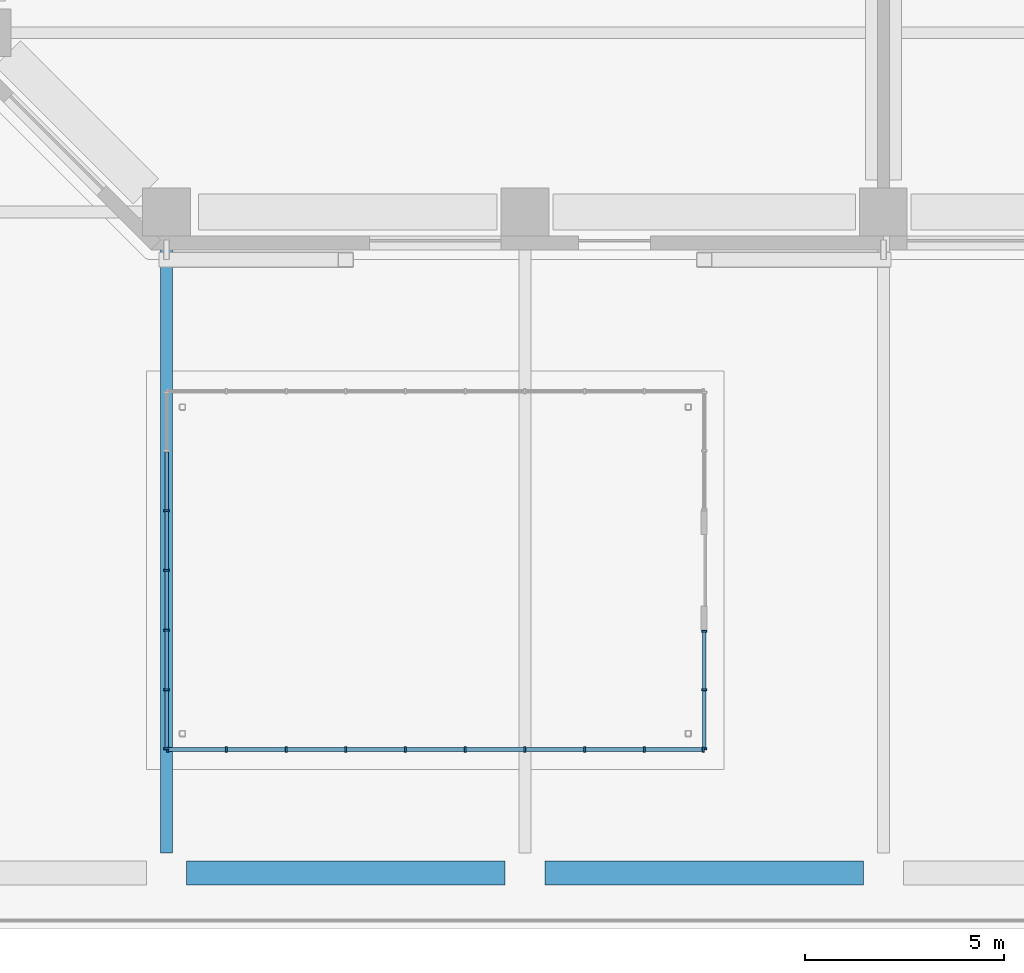
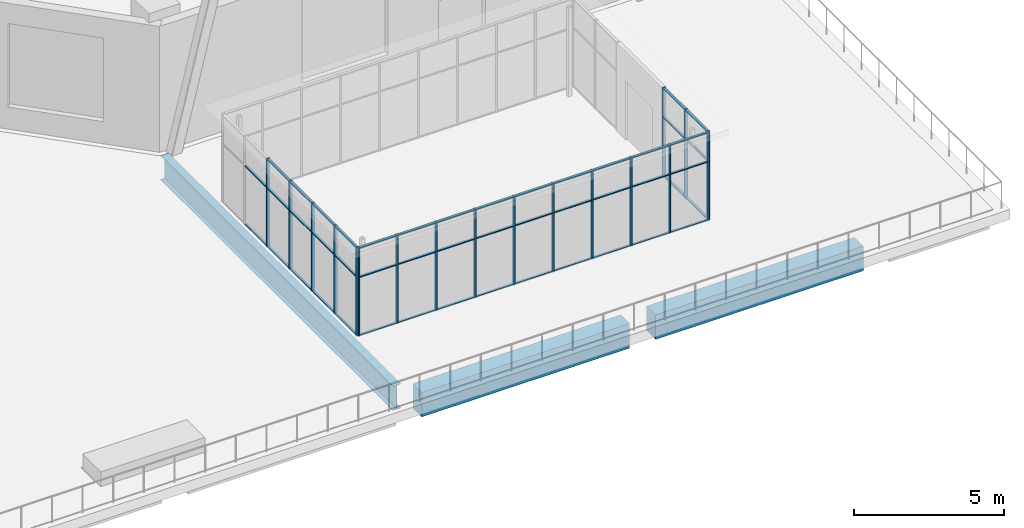
# One storey, part 5 of 33: 65 members, 3 beams, 3 elements without a shape of their own.
"""IFC4 building model written with IfcOpenShell, lengths in metres."""

from ifc_helpers import new_model, si_unit, direction, frame, origin, origin_2d, place, context, subcontext, project, spatial, rectangle, i_section, extrude, material, constituent, constituent_set, material_profile, profile_set, type_object, element, aggregate, save


model = new_model("IFC4")

# Units and contexts
model_context = context("Model", 3, precision=1e-05, world=origin(), true_north=direction((0.0, 1.0)))
body_context = subcontext(model_context, "Body", "Model", "MODEL_VIEW")
ifc_project = project(units=[si_unit("LENGTHUNIT", "METRE"), si_unit("AREAUNIT", "SQUARE_METRE"), si_unit("VOLUMEUNIT", "CUBIC_METRE"), si_unit("PLANEANGLEUNIT", "RADIAN"), si_unit("MASSUNIT", "GRAM", prefix="KILO")], contexts=[model_context])

# Site, building, storey
site_placement = place(None, origin())
site = spatial("IfcSite", under=ifc_project, at=site_placement, CompositionType="ELEMENT")
building_placement = place(site_placement, origin())
building = spatial("IfcBuilding", under=site, at=building_placement, Name="Quoin Convention Tower", CompositionType="ELEMENT")
storey_placement = place(building_placement, frame((0.0, 0.0, 8.0)))
storey = spatial("IfcBuildingStorey", under=building, at=storey_placement, Name="L01", CompositionType="ELEMENT", Elevation=8.0)

# Beam
ifc_material_1 = material(Name="Steel Grade 300", Category="steel")
ifc_material_profile_1 = material_profile(ifc_material_1, i_section(OverallWidth=0.300048828125, OverallDepth=1.0, WebThickness=0.01611328125, FlangeThickness=0.02001953125, at=origin_2d()), Name="1000WB215")
ifc_profile_set_1 = profile_set([ifc_material_profile_1], Name="Steel Grade 300")
beam_type_1 = type_object("IfcBeamType", Name="1000WB215", PredefinedType="BEAM", material=ifc_profile_set_1)
beam_placement = place(storey_placement, frame((18.0, 1.89990234375, -0.909912109375), z_axis=(0.0, 1.0, 0.0), x_axis=(-1.0, 0.0, 0.0)))
element("IfcBeam", 1, at=beam_placement, inside=storey, type_object=beam_type_1, Name="gir-L01-deck-N18000_1900", PredefinedType="BEAM", context=body_context, shape_type="SweptSolid", body=[
    extrude(i_section(OverallWidth=0.300048828125, OverallDepth=1.0, WebThickness=0.01611328125, FlangeThickness=0.02001953125, at=origin_2d()), origin(), (0.0, 0.0, 1.0), 15.5),
])

# Curtain wall, members
ifc_material_2 = material(Name="Aluminium", Category="aluminium")
ifc_constituent_1 = constituent(ifc_material_2, Name="Frame")
ifc_material_3 = material(Name="Insulated glass", Category="glass")
ifc_constituent_2 = constituent(ifc_material_3, Name="Glazing")
ifc_constituent_set = constituent_set(constituents=[ifc_constituent_1, ifc_constituent_2], Name="Aluminium")
curtain_wall_type = type_object("IfcCurtainWallType", Name="Garden pavilion glazing system", PredefinedType="NOTDEFINED", material=ifc_constituent_set)
curtain_wall_1_placement = place(storey_placement, origin())
curtain_wall_1 = element("IfcCurtainWall", 2, at=curtain_wall_1_placement, inside=storey, type_object=curtain_wall_type, Name="cw-PAV-W0-31500_4500", PredefinedType="NOTDEFINED")
ifc_material_profile_2 = material_profile(ifc_material_2, rectangle(XDim=0.1298828125, YDim=0.050048828125, at=origin_2d()), Name="Garden pavilion glazing mullion 50x130")
ifc_profile_set_2 = profile_set([ifc_material_profile_2], Name="Aluminium")
member_type_1 = type_object("IfcMemberType", Name="Garden pavilion glazing mullion 50x130", PredefinedType="MULLION", material=ifc_profile_set_2)
member_1_placement = place(storey_placement, frame((31.5, 4.52490234375, 0.0), z_axis=(0.0, 0.0, 1.0), x_axis=(-1.0, 0.0, 0.0)))
member_1 = element("IfcMember", 3, at=member_1_placement, type_object=member_type_1, Name="CW4 mullion 1", PredefinedType="MULLION", context=body_context, shape_type="SweptSolid", body=[
    extrude(rectangle(XDim=0.1298828125, YDim=0.050048828125, at=origin_2d()), origin(), (0.0, 0.0, 1.0), 3.60009765625),
])
member_2_placement = place(storey_placement, frame((31.5, 6.0, 0.0), z_axis=(0.0, 0.0, 1.0), x_axis=(-1.0, 0.0, 0.0)))
member_2 = element("IfcMember", 4, at=member_2_placement, type_object=member_type_1, Name="CW4 mullion 2", PredefinedType="MULLION", context=body_context, shape_type="SweptSolid", body=[
    extrude(rectangle(XDim=0.1298828125, YDim=0.050048828125, at=origin_2d()), origin(), (0.0, 0.0, 1.0), 3.60009765625),
])
member_3_placement = place(storey_placement, frame((31.5, 7.47509765625, 0.0), z_axis=(0.0, 0.0, 1.0), x_axis=(-1.0, 0.0, 0.0)))
member_3 = element("IfcMember", 5, at=member_3_placement, type_object=member_type_1, Name="CW4 mullion 3", PredefinedType="MULLION", context=body_context, shape_type="SweptSolid", body=[
    extrude(rectangle(XDim=0.1298828125, YDim=0.050048828125, at=origin_2d()), origin(), (0.0, 0.0, 1.0), 3.60009765625),
])

curtain_wall_2_placement = place(storey_placement, origin())
curtain_wall_2 = element("IfcCurtainWall", 6, at=curtain_wall_2_placement, inside=storey, type_object=curtain_wall_type, Name="cw-PAV-W2-18000_13500", PredefinedType="NOTDEFINED")
member_4_placement = place(storey_placement, frame((18.0, 10.5, 0.0), z_axis=(0.0, 0.0, 1.0), x_axis=(1.0, 0.0, 0.0)))
member_4 = element("IfcMember", 7, at=member_4_placement, type_object=member_type_1, Name="CW4 mullion 3", PredefinedType="MULLION", context=body_context, shape_type="SweptSolid", body=[
    extrude(rectangle(XDim=0.1298828125, YDim=0.050048828125, at=origin_2d()), origin(), (0.0, 0.0, 1.0), 3.60009765625),
])
member_5_placement = place(storey_placement, frame((18.0, 9.0, 0.0), z_axis=(0.0, 0.0, 1.0), x_axis=(1.0, 0.0, 0.0)))
member_5 = element("IfcMember", 8, at=member_5_placement, type_object=member_type_1, Name="CW4 mullion 4", PredefinedType="MULLION", context=body_context, shape_type="SweptSolid", body=[
    extrude(rectangle(XDim=0.1298828125, YDim=0.050048828125, at=origin_2d()), origin(), (0.0, 0.0, 1.0), 3.60009765625),
])
member_6_placement = place(storey_placement, frame((18.0, 7.5, 0.0), z_axis=(0.0, 0.0, 1.0), x_axis=(1.0, 0.0, 0.0)))
member_6 = element("IfcMember", 9, at=member_6_placement, type_object=member_type_1, Name="CW4 mullion 5", PredefinedType="MULLION", context=body_context, shape_type="SweptSolid", body=[
    extrude(rectangle(XDim=0.1298828125, YDim=0.050048828125, at=origin_2d()), origin(), (0.0, 0.0, 1.0), 3.60009765625),
])
member_7_placement = place(storey_placement, frame((18.0, 6.0, 0.0), z_axis=(0.0, 0.0, 1.0), x_axis=(1.0, 0.0, 0.0)))
member_7 = element("IfcMember", 10, at=member_7_placement, type_object=member_type_1, Name="CW4 mullion 6", PredefinedType="MULLION", context=body_context, shape_type="SweptSolid", body=[
    extrude(rectangle(XDim=0.1298828125, YDim=0.050048828125, at=origin_2d()), origin(), (0.0, 0.0, 1.0), 3.60009765625),
])
member_8_placement = place(storey_placement, frame((18.0, 4.52490234375, 0.0), z_axis=(0.0, 0.0, 1.0), x_axis=(1.0, 0.0, 0.0)))
member_8 = element("IfcMember", 11, at=member_8_placement, type_object=member_type_1, Name="CW4 mullion 7", PredefinedType="MULLION", context=body_context, shape_type="SweptSolid", body=[
    extrude(rectangle(XDim=0.1298828125, YDim=0.050048828125, at=origin_2d()), origin(), (0.0, 0.0, 1.0), 3.60009765625),
])

curtain_wall_3_placement = place(storey_placement, origin())
curtain_wall_3 = element("IfcCurtainWall", 12, at=curtain_wall_3_placement, inside=storey, type_object=curtain_wall_type, Name="cw-PAV-W3-18000_4500", PredefinedType="NOTDEFINED")
member_9_placement = place(storey_placement, frame((18.02490234375, 4.5, 0.0), z_axis=(0.0, 0.0, 1.0), x_axis=(0.0, 1.0, 0.0)))
member_9 = element("IfcMember", 13, at=member_9_placement, type_object=member_type_1, Name="CW4 mullion 1", PredefinedType="MULLION", context=body_context, shape_type="SweptSolid", body=[
    extrude(rectangle(XDim=0.1298828125, YDim=0.050048828125, at=origin_2d()), origin(), (0.0, 0.0, 1.0), 3.60009765625),
])
member_10_placement = place(storey_placement, frame((19.5, 4.5, 0.0), z_axis=(0.0, 0.0, 1.0), x_axis=(0.0, 1.0, 0.0)))
member_10 = element("IfcMember", 14, at=member_10_placement, type_object=member_type_1, Name="CW4 mullion 2", PredefinedType="MULLION", context=body_context, shape_type="SweptSolid", body=[
    extrude(rectangle(XDim=0.1298828125, YDim=0.050048828125, at=origin_2d()), origin(), (0.0, 0.0, 1.0), 3.60009765625),
])
member_11_placement = place(storey_placement, frame((21.0, 4.5, 0.0), z_axis=(0.0, 0.0, 1.0), x_axis=(0.0, 1.0, 0.0)))
member_11 = element("IfcMember", 15, at=member_11_placement, type_object=member_type_1, Name="CW4 mullion 3", PredefinedType="MULLION", context=body_context, shape_type="SweptSolid", body=[
    extrude(rectangle(XDim=0.1298828125, YDim=0.050048828125, at=origin_2d()), origin(), (0.0, 0.0, 1.0), 3.60009765625),
])
member_12_placement = place(storey_placement, frame((22.5, 4.5, 0.0), z_axis=(0.0, 0.0, 1.0), x_axis=(0.0, 1.0, 0.0)))
member_12 = element("IfcMember", 16, at=member_12_placement, type_object=member_type_1, Name="CW4 mullion 4", PredefinedType="MULLION", context=body_context, shape_type="SweptSolid", body=[
    extrude(rectangle(XDim=0.1298828125, YDim=0.050048828125, at=origin_2d()), origin(), (0.0, 0.0, 1.0), 3.60009765625),
])
member_13_placement = place(storey_placement, frame((24.0, 4.5, 0.0), z_axis=(0.0, 0.0, 1.0), x_axis=(0.0, 1.0, 0.0)))
member_13 = element("IfcMember", 17, at=member_13_placement, type_object=member_type_1, Name="CW4 mullion 5", PredefinedType="MULLION", context=body_context, shape_type="SweptSolid", body=[
    extrude(rectangle(XDim=0.1298828125, YDim=0.050048828125, at=origin_2d()), origin(), (0.0, 0.0, 1.0), 3.60009765625),
])
member_14_placement = place(storey_placement, frame((25.5, 4.5, 0.0), z_axis=(0.0, 0.0, 1.0), x_axis=(0.0, 1.0, 0.0)))
member_14 = element("IfcMember", 18, at=member_14_placement, type_object=member_type_1, Name="CW4 mullion 6", PredefinedType="MULLION", context=body_context, shape_type="SweptSolid", body=[
    extrude(rectangle(XDim=0.1298828125, YDim=0.050048828125, at=origin_2d()), origin(), (0.0, 0.0, 1.0), 3.60009765625),
])
member_15_placement = place(storey_placement, frame((27.0, 4.5, 0.0), z_axis=(0.0, 0.0, 1.0), x_axis=(0.0, 1.0, 0.0)))
member_15 = element("IfcMember", 19, at=member_15_placement, type_object=member_type_1, Name="CW4 mullion 7", PredefinedType="MULLION", context=body_context, shape_type="SweptSolid", body=[
    extrude(rectangle(XDim=0.1298828125, YDim=0.050048828125, at=origin_2d()), origin(), (0.0, 0.0, 1.0), 3.60009765625),
])
member_16_placement = place(storey_placement, frame((28.5, 4.5, 0.0), z_axis=(0.0, 0.0, 1.0), x_axis=(0.0, 1.0, 0.0)))
member_16 = element("IfcMember", 20, at=member_16_placement, type_object=member_type_1, Name="CW4 mullion 8", PredefinedType="MULLION", context=body_context, shape_type="SweptSolid", body=[
    extrude(rectangle(XDim=0.1298828125, YDim=0.050048828125, at=origin_2d()), origin(), (0.0, 0.0, 1.0), 3.60009765625),
])
member_17_placement = place(storey_placement, frame((30.0, 4.5, 0.0), z_axis=(0.0, 0.0, 1.0), x_axis=(0.0, 1.0, 0.0)))
member_17 = element("IfcMember", 21, at=member_17_placement, type_object=member_type_1, Name="CW4 mullion 9", PredefinedType="MULLION", context=body_context, shape_type="SweptSolid", body=[
    extrude(rectangle(XDim=0.1298828125, YDim=0.050048828125, at=origin_2d()), origin(), (0.0, 0.0, 1.0), 3.60009765625),
])
member_18_placement = place(storey_placement, frame((31.47509765625, 4.5, 0.0), z_axis=(0.0, 0.0, 1.0), x_axis=(0.0, 1.0, 0.0)))
member_18 = element("IfcMember", 22, at=member_18_placement, type_object=member_type_1, Name="CW4 mullion 10", PredefinedType="MULLION", context=body_context, shape_type="SweptSolid", body=[
    extrude(rectangle(XDim=0.1298828125, YDim=0.050048828125, at=origin_2d()), origin(), (0.0, 0.0, 1.0), 3.60009765625),
])

# Member
ifc_material_profile_3 = material_profile(ifc_material_2, rectangle(XDim=0.090087890625, YDim=0.0400390625, at=origin_2d()), Name="Garden pavilion glazing transom 40x90")
ifc_profile_set_3 = profile_set([ifc_material_profile_3], Name="Aluminium")
member_type_2 = type_object("IfcMemberType", Name="Garden pavilion glazing transom 40x90", PredefinedType="USERDEFINED", material=ifc_profile_set_3)
member_19_placement = place(storey_placement, frame((31.5, 4.550048828125, 0.02001953125), z_axis=(0.0, 1.0, 0.0), x_axis=(-1.0, 0.0, 0.0)))
member_19 = element("IfcMember", 23, at=member_19_placement, type_object=member_type_2, Name="CW4 transom 1.1", ObjectType="TRANSOM", PredefinedType="USERDEFINED", context=body_context, shape_type="SweptSolid", body=[
    extrude(rectangle(XDim=0.090087890625, YDim=0.0400390625, at=origin_2d()), origin(), (0.0, 0.0, 1.0), 1.425048828125),
])

member_20_placement = place(storey_placement, frame((31.5, 4.550048828125, 2.39990234375), z_axis=(0.0, 1.0, 0.0), x_axis=(-1.0, 0.0, 0.0)))
member_20 = element("IfcMember", 24, at=member_20_placement, type_object=member_type_2, Name="CW4 transom 1.2", ObjectType="TRANSOM", PredefinedType="USERDEFINED", context=body_context, shape_type="SweptSolid", body=[
    extrude(rectangle(XDim=0.090087890625, YDim=0.0400390625, at=origin_2d()), origin(), (0.0, 0.0, 1.0), 1.425048828125),
])

member_21_placement = place(storey_placement, frame((31.5, 4.550048828125, 3.580078125), z_axis=(0.0, 1.0, 0.0), x_axis=(-1.0, 0.0, 0.0)))
member_21 = element("IfcMember", 25, at=member_21_placement, type_object=member_type_2, Name="CW4 transom 1.3", ObjectType="TRANSOM", PredefinedType="USERDEFINED", context=body_context, shape_type="SweptSolid", body=[
    extrude(rectangle(XDim=0.090087890625, YDim=0.0400390625, at=origin_2d()), origin(), (0.0, 0.0, 1.0), 1.425048828125),
])

member_22_placement = place(storey_placement, frame((31.5, 6.02490234375, 0.02001953125), z_axis=(0.0, 1.0, 0.0), x_axis=(-1.0, 0.0, 0.0)))
member_22 = element("IfcMember", 26, at=member_22_placement, type_object=member_type_2, Name="CW4 transom 2.1", ObjectType="TRANSOM", PredefinedType="USERDEFINED", context=body_context, shape_type="SweptSolid", body=[
    extrude(rectangle(XDim=0.090087890625, YDim=0.0400390625, at=origin_2d()), origin(), (0.0, 0.0, 1.0), 1.425048828125),
])

member_23_placement = place(storey_placement, frame((31.5, 6.02490234375, 2.39990234375), z_axis=(0.0, 1.0, 0.0), x_axis=(-1.0, 0.0, 0.0)))
member_23 = element("IfcMember", 27, at=member_23_placement, type_object=member_type_2, Name="CW4 transom 2.2", ObjectType="TRANSOM", PredefinedType="USERDEFINED", context=body_context, shape_type="SweptSolid", body=[
    extrude(rectangle(XDim=0.090087890625, YDim=0.0400390625, at=origin_2d()), origin(), (0.0, 0.0, 1.0), 1.425048828125),
])

member_24_placement = place(storey_placement, frame((31.5, 6.02490234375, 3.580078125), z_axis=(0.0, 1.0, 0.0), x_axis=(-1.0, 0.0, 0.0)))
member_24 = element("IfcMember", 28, at=member_24_placement, type_object=member_type_2, Name="CW4 transom 2.3", ObjectType="TRANSOM", PredefinedType="USERDEFINED", context=body_context, shape_type="SweptSolid", body=[
    extrude(rectangle(XDim=0.090087890625, YDim=0.0400390625, at=origin_2d()), origin(), (0.0, 0.0, 1.0), 1.425048828125),
])

aggregate(curtain_wall_1, [member_1, member_2, member_3, member_19, member_20, member_21, member_22, member_23, member_24])

member_25_placement = place(storey_placement, frame((18.0, 11.97509765625, 0.02001953125), z_axis=(0.0, -1.0, 0.0), x_axis=(1.0, 0.0, 0.0)))
member_25 = element("IfcMember", 29, at=member_25_placement, type_object=member_type_2, Name="CW4 transom 2.1", ObjectType="TRANSOM", PredefinedType="USERDEFINED", context=body_context, shape_type="SweptSolid", body=[
    extrude(rectangle(XDim=0.090087890625, YDim=0.0400390625, at=origin_2d()), origin(), (0.0, 0.0, 1.0), 1.4501953125),
])

member_26_placement = place(storey_placement, frame((18.0, 11.97509765625, 2.39990234375), z_axis=(0.0, -1.0, 0.0), x_axis=(1.0, 0.0, 0.0)))
member_26 = element("IfcMember", 30, at=member_26_placement, type_object=member_type_2, Name="CW4 transom 2.2", ObjectType="TRANSOM", PredefinedType="USERDEFINED", context=body_context, shape_type="SweptSolid", body=[
    extrude(rectangle(XDim=0.090087890625, YDim=0.0400390625, at=origin_2d()), origin(), (0.0, 0.0, 1.0), 1.4501953125),
])

member_27_placement = place(storey_placement, frame((18.0, 10.47509765625, 0.02001953125), z_axis=(0.0, -1.0, 0.0), x_axis=(1.0, 0.0, 0.0)))
member_27 = element("IfcMember", 31, at=member_27_placement, type_object=member_type_2, Name="CW4 transom 3.1", ObjectType="TRANSOM", PredefinedType="USERDEFINED", context=body_context, shape_type="SweptSolid", body=[
    extrude(rectangle(XDim=0.090087890625, YDim=0.0400390625, at=origin_2d()), origin(), (0.0, 0.0, 1.0), 1.4501953125),
])

member_28_placement = place(storey_placement, frame((18.0, 10.47509765625, 2.39990234375), z_axis=(0.0, -1.0, 0.0), x_axis=(1.0, 0.0, 0.0)))
member_28 = element("IfcMember", 32, at=member_28_placement, type_object=member_type_2, Name="CW4 transom 3.2", ObjectType="TRANSOM", PredefinedType="USERDEFINED", context=body_context, shape_type="SweptSolid", body=[
    extrude(rectangle(XDim=0.090087890625, YDim=0.0400390625, at=origin_2d()), origin(), (0.0, 0.0, 1.0), 1.4501953125),
])

member_29_placement = place(storey_placement, frame((18.0, 10.47509765625, 3.580078125), z_axis=(0.0, -1.0, 0.0), x_axis=(1.0, 0.0, 0.0)))
member_29 = element("IfcMember", 33, at=member_29_placement, type_object=member_type_2, Name="CW4 transom 3.3", ObjectType="TRANSOM", PredefinedType="USERDEFINED", context=body_context, shape_type="SweptSolid", body=[
    extrude(rectangle(XDim=0.090087890625, YDim=0.0400390625, at=origin_2d()), origin(), (0.0, 0.0, 1.0), 1.4501953125),
])

member_30_placement = place(storey_placement, frame((18.0, 8.97509765625, 0.02001953125), z_axis=(0.0, -1.0, 0.0), x_axis=(1.0, 0.0, 0.0)))
member_30 = element("IfcMember", 34, at=member_30_placement, type_object=member_type_2, Name="CW4 transom 4.1", ObjectType="TRANSOM", PredefinedType="USERDEFINED", context=body_context, shape_type="SweptSolid", body=[
    extrude(rectangle(XDim=0.090087890625, YDim=0.0400390625, at=origin_2d()), origin(), (0.0, 0.0, 1.0), 1.4501953125),
])

member_31_placement = place(storey_placement, frame((18.0, 8.97509765625, 2.39990234375), z_axis=(0.0, -1.0, 0.0), x_axis=(1.0, 0.0, 0.0)))
member_31 = element("IfcMember", 35, at=member_31_placement, type_object=member_type_2, Name="CW4 transom 4.2", ObjectType="TRANSOM", PredefinedType="USERDEFINED", context=body_context, shape_type="SweptSolid", body=[
    extrude(rectangle(XDim=0.090087890625, YDim=0.0400390625, at=origin_2d()), origin(), (0.0, 0.0, 1.0), 1.4501953125),
])

member_32_placement = place(storey_placement, frame((18.0, 8.97509765625, 3.580078125), z_axis=(0.0, -1.0, 0.0), x_axis=(1.0, 0.0, 0.0)))
member_32 = element("IfcMember", 36, at=member_32_placement, type_object=member_type_2, Name="CW4 transom 4.3", ObjectType="TRANSOM", PredefinedType="USERDEFINED", context=body_context, shape_type="SweptSolid", body=[
    extrude(rectangle(XDim=0.090087890625, YDim=0.0400390625, at=origin_2d()), origin(), (0.0, 0.0, 1.0), 1.4501953125),
])

member_33_placement = place(storey_placement, frame((18.0, 7.47509765625, 0.02001953125), z_axis=(0.0, -1.0, 0.0), x_axis=(1.0, 0.0, 0.0)))
member_33 = element("IfcMember", 37, at=member_33_placement, type_object=member_type_2, Name="CW4 transom 5.1", ObjectType="TRANSOM", PredefinedType="USERDEFINED", context=body_context, shape_type="SweptSolid", body=[
    extrude(rectangle(XDim=0.090087890625, YDim=0.0400390625, at=origin_2d()), origin(), (0.0, 0.0, 1.0), 1.4501953125),
])

member_34_placement = place(storey_placement, frame((18.0, 7.47509765625, 2.39990234375), z_axis=(0.0, -1.0, 0.0), x_axis=(1.0, 0.0, 0.0)))
member_34 = element("IfcMember", 38, at=member_34_placement, type_object=member_type_2, Name="CW4 transom 5.2", ObjectType="TRANSOM", PredefinedType="USERDEFINED", context=body_context, shape_type="SweptSolid", body=[
    extrude(rectangle(XDim=0.090087890625, YDim=0.0400390625, at=origin_2d()), origin(), (0.0, 0.0, 1.0), 1.4501953125),
])

member_35_placement = place(storey_placement, frame((18.0, 7.47509765625, 3.580078125), z_axis=(0.0, -1.0, 0.0), x_axis=(1.0, 0.0, 0.0)))
member_35 = element("IfcMember", 39, at=member_35_placement, type_object=member_type_2, Name="CW4 transom 5.3", ObjectType="TRANSOM", PredefinedType="USERDEFINED", context=body_context, shape_type="SweptSolid", body=[
    extrude(rectangle(XDim=0.090087890625, YDim=0.0400390625, at=origin_2d()), origin(), (0.0, 0.0, 1.0), 1.4501953125),
])

member_36_placement = place(storey_placement, frame((18.0, 5.97509765625, 0.02001953125), z_axis=(0.0, -1.0, 0.0), x_axis=(1.0, 0.0, 0.0)))
member_36 = element("IfcMember", 40, at=member_36_placement, type_object=member_type_2, Name="CW4 transom 6.1", ObjectType="TRANSOM", PredefinedType="USERDEFINED", context=body_context, shape_type="SweptSolid", body=[
    extrude(rectangle(XDim=0.090087890625, YDim=0.0400390625, at=origin_2d()), origin(), (0.0, 0.0, 1.0), 1.425048828125),
])

member_37_placement = place(storey_placement, frame((18.0, 5.97509765625, 2.39990234375), z_axis=(0.0, -1.0, 0.0), x_axis=(1.0, 0.0, 0.0)))
member_37 = element("IfcMember", 41, at=member_37_placement, type_object=member_type_2, Name="CW4 transom 6.2", ObjectType="TRANSOM", PredefinedType="USERDEFINED", context=body_context, shape_type="SweptSolid", body=[
    extrude(rectangle(XDim=0.090087890625, YDim=0.0400390625, at=origin_2d()), origin(), (0.0, 0.0, 1.0), 1.425048828125),
])

member_38_placement = place(storey_placement, frame((18.0, 5.97509765625, 3.580078125), z_axis=(0.0, -1.0, 0.0), x_axis=(1.0, 0.0, 0.0)))
member_38 = element("IfcMember", 42, at=member_38_placement, type_object=member_type_2, Name="CW4 transom 6.3", ObjectType="TRANSOM", PredefinedType="USERDEFINED", context=body_context, shape_type="SweptSolid", body=[
    extrude(rectangle(XDim=0.090087890625, YDim=0.0400390625, at=origin_2d()), origin(), (0.0, 0.0, 1.0), 1.425048828125),
])

aggregate(curtain_wall_2, [member_4, member_5, member_6, member_7, member_8, member_25, member_26, member_27, member_28, member_29, member_30, member_31, member_32, member_33, member_34, member_35, member_36, member_37, member_38])

member_39_placement = place(storey_placement, frame((18.050048828125, 4.5, 0.02001953125), z_axis=(1.0, 0.0, 0.0), x_axis=(0.0, 1.0, 0.0)))
member_39 = element("IfcMember", 43, at=member_39_placement, type_object=member_type_2, Name="CW4 transom 1.1", ObjectType="TRANSOM", PredefinedType="USERDEFINED", context=body_context, shape_type="SweptSolid", body=[
    extrude(rectangle(XDim=0.090087890625, YDim=0.0400390625, at=origin_2d()), origin(), (0.0, 0.0, 1.0), 1.425048828125),
])

member_40_placement = place(storey_placement, frame((18.050048828125, 4.5, 2.39990234375), z_axis=(1.0, 0.0, 0.0), x_axis=(0.0, 1.0, 0.0)))
member_40 = element("IfcMember", 44, at=member_40_placement, type_object=member_type_2, Name="CW4 transom 1.2", ObjectType="TRANSOM", PredefinedType="USERDEFINED", context=body_context, shape_type="SweptSolid", body=[
    extrude(rectangle(XDim=0.090087890625, YDim=0.0400390625, at=origin_2d()), origin(), (0.0, 0.0, 1.0), 1.425048828125),
])

member_41_placement = place(storey_placement, frame((18.050048828125, 4.5, 3.580078125), z_axis=(1.0, 0.0, 0.0), x_axis=(0.0, 1.0, 0.0)))
member_41 = element("IfcMember", 45, at=member_41_placement, type_object=member_type_2, Name="CW4 transom 1.3", ObjectType="TRANSOM", PredefinedType="USERDEFINED", context=body_context, shape_type="SweptSolid", body=[
    extrude(rectangle(XDim=0.090087890625, YDim=0.0400390625, at=origin_2d()), origin(), (0.0, 0.0, 1.0), 1.425048828125),
])

member_42_placement = place(storey_placement, frame((19.52490234375, 4.5, 0.02001953125), z_axis=(1.0, 0.0, 0.0), x_axis=(0.0, 1.0, 0.0)))
member_42 = element("IfcMember", 46, at=member_42_placement, type_object=member_type_2, Name="CW4 transom 2.1", ObjectType="TRANSOM", PredefinedType="USERDEFINED", context=body_context, shape_type="SweptSolid", body=[
    extrude(rectangle(XDim=0.090087890625, YDim=0.0400390625, at=origin_2d()), origin(), (0.0, 0.0, 1.0), 1.4501953125),
])

member_43_placement = place(storey_placement, frame((19.52490234375, 4.5, 2.39990234375), z_axis=(1.0, 0.0, 0.0), x_axis=(0.0, 1.0, 0.0)))
member_43 = element("IfcMember", 47, at=member_43_placement, type_object=member_type_2, Name="CW4 transom 2.2", ObjectType="TRANSOM", PredefinedType="USERDEFINED", context=body_context, shape_type="SweptSolid", body=[
    extrude(rectangle(XDim=0.090087890625, YDim=0.0400390625, at=origin_2d()), origin(), (0.0, 0.0, 1.0), 1.4501953125),
])

member_44_placement = place(storey_placement, frame((19.52490234375, 4.5, 3.580078125), z_axis=(1.0, 0.0, 0.0), x_axis=(0.0, 1.0, 0.0)))
member_44 = element("IfcMember", 48, at=member_44_placement, type_object=member_type_2, Name="CW4 transom 2.3", ObjectType="TRANSOM", PredefinedType="USERDEFINED", context=body_context, shape_type="SweptSolid", body=[
    extrude(rectangle(XDim=0.090087890625, YDim=0.0400390625, at=origin_2d()), origin(), (0.0, 0.0, 1.0), 1.4501953125),
])

member_45_placement = place(storey_placement, frame((21.02490234375, 4.5, 0.02001953125), z_axis=(1.0, 0.0, 0.0), x_axis=(0.0, 1.0, 0.0)))
member_45 = element("IfcMember", 49, at=member_45_placement, type_object=member_type_2, Name="CW4 transom 3.1", ObjectType="TRANSOM", PredefinedType="USERDEFINED", context=body_context, shape_type="SweptSolid", body=[
    extrude(rectangle(XDim=0.090087890625, YDim=0.0400390625, at=origin_2d()), origin(), (0.0, 0.0, 1.0), 1.4501953125),
])

member_46_placement = place(storey_placement, frame((21.02490234375, 4.5, 2.39990234375), z_axis=(1.0, 0.0, 0.0), x_axis=(0.0, 1.0, 0.0)))
member_46 = element("IfcMember", 50, at=member_46_placement, type_object=member_type_2, Name="CW4 transom 3.2", ObjectType="TRANSOM", PredefinedType="USERDEFINED", context=body_context, shape_type="SweptSolid", body=[
    extrude(rectangle(XDim=0.090087890625, YDim=0.0400390625, at=origin_2d()), origin(), (0.0, 0.0, 1.0), 1.4501953125),
])

member_47_placement = place(storey_placement, frame((21.02490234375, 4.5, 3.580078125), z_axis=(1.0, 0.0, 0.0), x_axis=(0.0, 1.0, 0.0)))
member_47 = element("IfcMember", 51, at=member_47_placement, type_object=member_type_2, Name="CW4 transom 3.3", ObjectType="TRANSOM", PredefinedType="USERDEFINED", context=body_context, shape_type="SweptSolid", body=[
    extrude(rectangle(XDim=0.090087890625, YDim=0.0400390625, at=origin_2d()), origin(), (0.0, 0.0, 1.0), 1.4501953125),
])

member_48_placement = place(storey_placement, frame((22.52490234375, 4.5, 0.02001953125), z_axis=(1.0, 0.0, 0.0), x_axis=(0.0, 1.0, 0.0)))
member_48 = element("IfcMember", 52, at=member_48_placement, type_object=member_type_2, Name="CW4 transom 4.1", ObjectType="TRANSOM", PredefinedType="USERDEFINED", context=body_context, shape_type="SweptSolid", body=[
    extrude(rectangle(XDim=0.090087890625, YDim=0.0400390625, at=origin_2d()), origin(), (0.0, 0.0, 1.0), 1.4501953125),
])

member_49_placement = place(storey_placement, frame((22.52490234375, 4.5, 2.39990234375), z_axis=(1.0, 0.0, 0.0), x_axis=(0.0, 1.0, 0.0)))
member_49 = element("IfcMember", 53, at=member_49_placement, type_object=member_type_2, Name="CW4 transom 4.2", ObjectType="TRANSOM", PredefinedType="USERDEFINED", context=body_context, shape_type="SweptSolid", body=[
    extrude(rectangle(XDim=0.090087890625, YDim=0.0400390625, at=origin_2d()), origin(), (0.0, 0.0, 1.0), 1.4501953125),
])

member_50_placement = place(storey_placement, frame((22.52490234375, 4.5, 3.580078125), z_axis=(1.0, 0.0, 0.0), x_axis=(0.0, 1.0, 0.0)))
member_50 = element("IfcMember", 54, at=member_50_placement, type_object=member_type_2, Name="CW4 transom 4.3", ObjectType="TRANSOM", PredefinedType="USERDEFINED", context=body_context, shape_type="SweptSolid", body=[
    extrude(rectangle(XDim=0.090087890625, YDim=0.0400390625, at=origin_2d()), origin(), (0.0, 0.0, 1.0), 1.4501953125),
])

member_51_placement = place(storey_placement, frame((24.02490234375, 4.5, 0.02001953125), z_axis=(1.0, 0.0, 0.0), x_axis=(0.0, 1.0, 0.0)))
member_51 = element("IfcMember", 55, at=member_51_placement, type_object=member_type_2, Name="CW4 transom 5.1", ObjectType="TRANSOM", PredefinedType="USERDEFINED", context=body_context, shape_type="SweptSolid", body=[
    extrude(rectangle(XDim=0.090087890625, YDim=0.0400390625, at=origin_2d()), origin(), (0.0, 0.0, 1.0), 1.4501953125),
])

member_52_placement = place(storey_placement, frame((24.02490234375, 4.5, 2.39990234375), z_axis=(1.0, 0.0, 0.0), x_axis=(0.0, 1.0, 0.0)))
member_52 = element("IfcMember", 56, at=member_52_placement, type_object=member_type_2, Name="CW4 transom 5.2", ObjectType="TRANSOM", PredefinedType="USERDEFINED", context=body_context, shape_type="SweptSolid", body=[
    extrude(rectangle(XDim=0.090087890625, YDim=0.0400390625, at=origin_2d()), origin(), (0.0, 0.0, 1.0), 1.4501953125),
])

member_53_placement = place(storey_placement, frame((24.02490234375, 4.5, 3.580078125), z_axis=(1.0, 0.0, 0.0), x_axis=(0.0, 1.0, 0.0)))
member_53 = element("IfcMember", 57, at=member_53_placement, type_object=member_type_2, Name="CW4 transom 5.3", ObjectType="TRANSOM", PredefinedType="USERDEFINED", context=body_context, shape_type="SweptSolid", body=[
    extrude(rectangle(XDim=0.090087890625, YDim=0.0400390625, at=origin_2d()), origin(), (0.0, 0.0, 1.0), 1.4501953125),
])

member_54_placement = place(storey_placement, frame((25.52490234375, 4.5, 0.02001953125), z_axis=(1.0, 0.0, 0.0), x_axis=(0.0, 1.0, 0.0)))
member_54 = element("IfcMember", 58, at=member_54_placement, type_object=member_type_2, Name="CW4 transom 6.1", ObjectType="TRANSOM", PredefinedType="USERDEFINED", context=body_context, shape_type="SweptSolid", body=[
    extrude(rectangle(XDim=0.090087890625, YDim=0.0400390625, at=origin_2d()), origin(), (0.0, 0.0, 1.0), 1.4501953125),
])

member_55_placement = place(storey_placement, frame((25.52490234375, 4.5, 2.39990234375), z_axis=(1.0, 0.0, 0.0), x_axis=(0.0, 1.0, 0.0)))
member_55 = element("IfcMember", 59, at=member_55_placement, type_object=member_type_2, Name="CW4 transom 6.2", ObjectType="TRANSOM", PredefinedType="USERDEFINED", context=body_context, shape_type="SweptSolid", body=[
    extrude(rectangle(XDim=0.090087890625, YDim=0.0400390625, at=origin_2d()), origin(), (0.0, 0.0, 1.0), 1.4501953125),
])

member_56_placement = place(storey_placement, frame((25.52490234375, 4.5, 3.580078125), z_axis=(1.0, 0.0, 0.0), x_axis=(0.0, 1.0, 0.0)))
member_56 = element("IfcMember", 60, at=member_56_placement, type_object=member_type_2, Name="CW4 transom 6.3", ObjectType="TRANSOM", PredefinedType="USERDEFINED", context=body_context, shape_type="SweptSolid", body=[
    extrude(rectangle(XDim=0.090087890625, YDim=0.0400390625, at=origin_2d()), origin(), (0.0, 0.0, 1.0), 1.4501953125),
])

member_57_placement = place(storey_placement, frame((27.02490234375, 4.5, 0.02001953125), z_axis=(1.0, 0.0, 0.0), x_axis=(0.0, 1.0, 0.0)))
member_57 = element("IfcMember", 61, at=member_57_placement, type_object=member_type_2, Name="CW4 transom 7.1", ObjectType="TRANSOM", PredefinedType="USERDEFINED", context=body_context, shape_type="SweptSolid", body=[
    extrude(rectangle(XDim=0.090087890625, YDim=0.0400390625, at=origin_2d()), origin(), (0.0, 0.0, 1.0), 1.4501953125),
])

member_58_placement = place(storey_placement, frame((27.02490234375, 4.5, 2.39990234375), z_axis=(1.0, 0.0, 0.0), x_axis=(0.0, 1.0, 0.0)))
member_58 = element("IfcMember", 62, at=member_58_placement, type_object=member_type_2, Name="CW4 transom 7.2", ObjectType="TRANSOM", PredefinedType="USERDEFINED", context=body_context, shape_type="SweptSolid", body=[
    extrude(rectangle(XDim=0.090087890625, YDim=0.0400390625, at=origin_2d()), origin(), (0.0, 0.0, 1.0), 1.4501953125),
])

member_59_placement = place(storey_placement, frame((27.02490234375, 4.5, 3.580078125), z_axis=(1.0, 0.0, 0.0), x_axis=(0.0, 1.0, 0.0)))
member_59 = element("IfcMember", 63, at=member_59_placement, type_object=member_type_2, Name="CW4 transom 7.3", ObjectType="TRANSOM", PredefinedType="USERDEFINED", context=body_context, shape_type="SweptSolid", body=[
    extrude(rectangle(XDim=0.090087890625, YDim=0.0400390625, at=origin_2d()), origin(), (0.0, 0.0, 1.0), 1.4501953125),
])

member_60_placement = place(storey_placement, frame((28.52490234375, 4.5, 0.02001953125), z_axis=(1.0, 0.0, 0.0), x_axis=(0.0, 1.0, 0.0)))
member_60 = element("IfcMember", 64, at=member_60_placement, type_object=member_type_2, Name="CW4 transom 8.1", ObjectType="TRANSOM", PredefinedType="USERDEFINED", context=body_context, shape_type="SweptSolid", body=[
    extrude(rectangle(XDim=0.090087890625, YDim=0.0400390625, at=origin_2d()), origin(), (0.0, 0.0, 1.0), 1.4501953125),
])

member_61_placement = place(storey_placement, frame((28.52490234375, 4.5, 2.39990234375), z_axis=(1.0, 0.0, 0.0), x_axis=(0.0, 1.0, 0.0)))
member_61 = element("IfcMember", 65, at=member_61_placement, type_object=member_type_2, Name="CW4 transom 8.2", ObjectType="TRANSOM", PredefinedType="USERDEFINED", context=body_context, shape_type="SweptSolid", body=[
    extrude(rectangle(XDim=0.090087890625, YDim=0.0400390625, at=origin_2d()), origin(), (0.0, 0.0, 1.0), 1.4501953125),
])

member_62_placement = place(storey_placement, frame((28.52490234375, 4.5, 3.580078125), z_axis=(1.0, 0.0, 0.0), x_axis=(0.0, 1.0, 0.0)))
member_62 = element("IfcMember", 66, at=member_62_placement, type_object=member_type_2, Name="CW4 transom 8.3", ObjectType="TRANSOM", PredefinedType="USERDEFINED", context=body_context, shape_type="SweptSolid", body=[
    extrude(rectangle(XDim=0.090087890625, YDim=0.0400390625, at=origin_2d()), origin(), (0.0, 0.0, 1.0), 1.4501953125),
])

member_63_placement = place(storey_placement, frame((30.02490234375, 4.5, 0.02001953125), z_axis=(1.0, 0.0, 0.0), x_axis=(0.0, 1.0, 0.0)))
member_63 = element("IfcMember", 67, at=member_63_placement, type_object=member_type_2, Name="CW4 transom 9.1", ObjectType="TRANSOM", PredefinedType="USERDEFINED", context=body_context, shape_type="SweptSolid", body=[
    extrude(rectangle(XDim=0.090087890625, YDim=0.0400390625, at=origin_2d()), origin(), (0.0, 0.0, 1.0), 1.425048828125),
])

member_64_placement = place(storey_placement, frame((30.02490234375, 4.5, 2.39990234375), z_axis=(1.0, 0.0, 0.0), x_axis=(0.0, 1.0, 0.0)))
member_64 = element("IfcMember", 68, at=member_64_placement, type_object=member_type_2, Name="CW4 transom 9.2", ObjectType="TRANSOM", PredefinedType="USERDEFINED", context=body_context, shape_type="SweptSolid", body=[
    extrude(rectangle(XDim=0.090087890625, YDim=0.0400390625, at=origin_2d()), origin(), (0.0, 0.0, 1.0), 1.425048828125),
])

member_65_placement = place(storey_placement, frame((30.02490234375, 4.5, 3.580078125), z_axis=(1.0, 0.0, 0.0), x_axis=(0.0, 1.0, 0.0)))
member_65 = element("IfcMember", 69, at=member_65_placement, type_object=member_type_2, Name="CW4 transom 9.3", ObjectType="TRANSOM", PredefinedType="USERDEFINED", context=body_context, shape_type="SweptSolid", body=[
    extrude(rectangle(XDim=0.090087890625, YDim=0.0400390625, at=origin_2d()), origin(), (0.0, 0.0, 1.0), 1.425048828125),
])

aggregate(curtain_wall_3, [member_9, member_10, member_11, member_12, member_13, member_14, member_15, member_16, member_17, member_18, member_39, member_40, member_41, member_42, member_43, member_44, member_45, member_46, member_47, member_48, member_49, member_50, member_51, member_52, member_53, member_54, member_55, member_56, member_57, member_58, member_59, member_60, member_61, member_62, member_63, member_64, member_65])

# Beams
ifc_material_4 = material(Name="Concrete C100 (100 MPa)", Category="concrete")
ifc_material_profile_4 = material_profile(ifc_material_4, rectangle(XDim=0.60009765625, YDim=1.0, at=origin_2d()), Name="RC 600x1000")
ifc_profile_set_4 = profile_set([ifc_material_profile_4], Name="Concrete C100 (100 MPa)")
beam_type_2 = type_object("IfcBeamType", Name="RC 600x1000 C100", PredefinedType="SPANDREL", material=ifc_profile_set_4)
for number, where, z_axis, x_axis, name in (
    (70, (18.5, 1.39990234375, -0.909912109375), (1.0, 0.0, 0.0), (0.0, 1.0, 0.0), "spd-L01-edge-18000_1400-27000_1400"),
    (71, (27.5, 1.39990234375, -0.909912109375), (1.0, 0.0, 0.0), (0.0, 1.0, 0.0), "spd-L01-edge-27000_1400-36000_1400"),
):
    element("IfcBeam", number, at=place(storey_placement, frame(where, z_axis=z_axis, x_axis=x_axis)), inside=storey, type_object=beam_type_2, Name=name, PredefinedType="SPANDREL", context=body_context, shape_type="SweptSolid", body=[
        extrude(rectangle(XDim=0.60009765625, YDim=1.0, at=origin_2d()), origin(), (0.0, 0.0, 1.0), 8.0),
    ])

save(model, "model.ifc")
